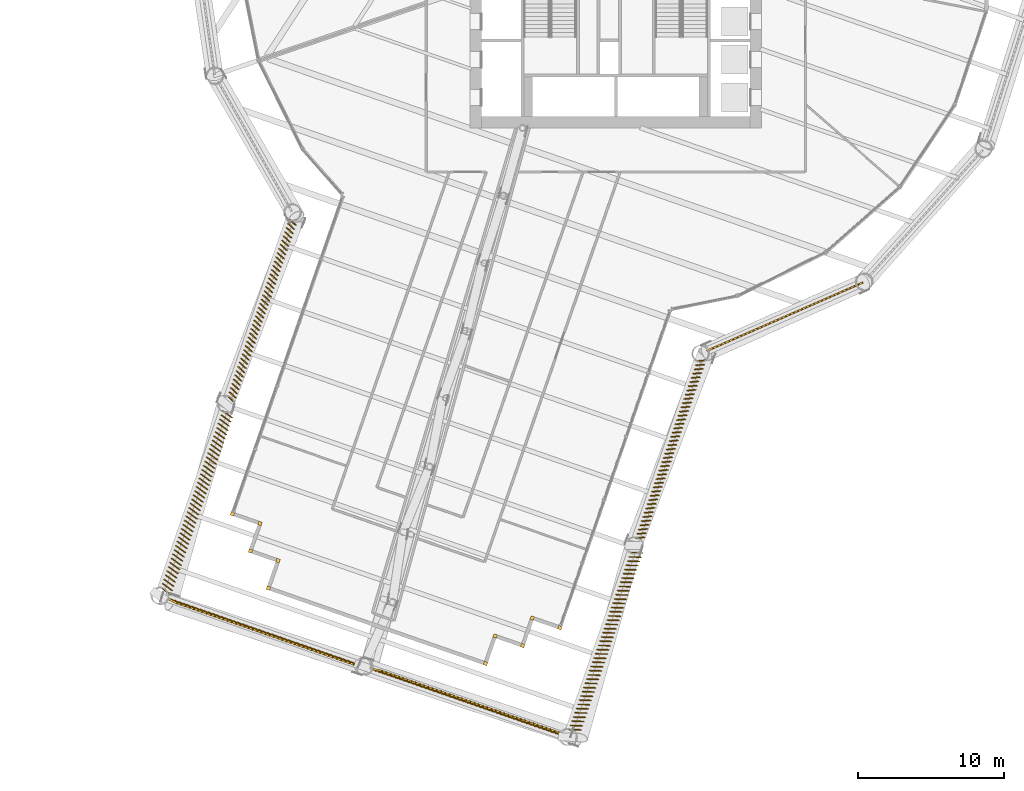
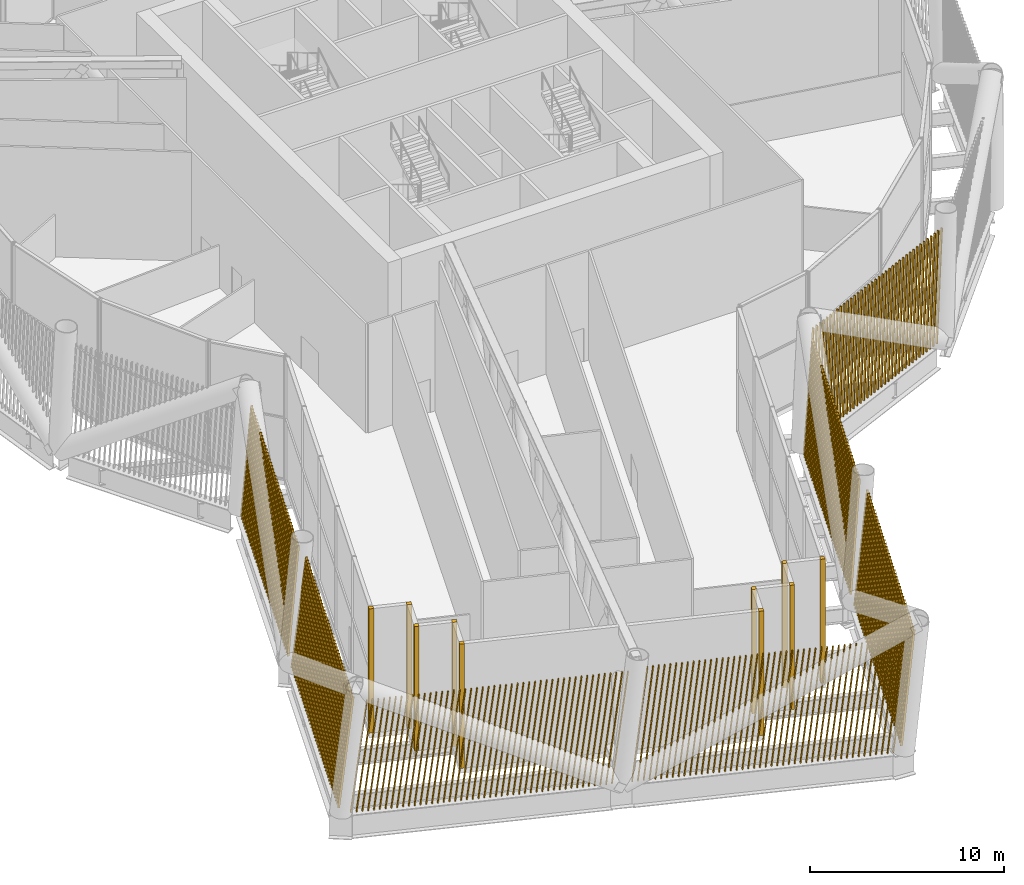
# One storey, part 55 of 63: 17 shading devices.
"""IFC4 building model written with IfcOpenShell, lengths in metres."""

from ifc_helpers import new_model, si_unit, direction, frame, frame_2d, origin, origin_2d, place, context, subcontext, project, spatial, rectangle, composite_profile, extrude, material, type_object, element, save


model = new_model("IFC4")

# Units and contexts
model_context = context("Model", 3, precision=1e-05, world=origin(), true_north=direction((0.0, 1.0)))
body_context = subcontext(model_context, "Body", "Model", "MODEL_VIEW")
ifc_project = project(units=[si_unit("LENGTHUNIT", "METRE"), si_unit("AREAUNIT", "SQUARE_METRE"), si_unit("VOLUMEUNIT", "CUBIC_METRE"), si_unit("PLANEANGLEUNIT", "RADIAN"), si_unit("MASSUNIT", "GRAM", prefix="KILO")], contexts=[model_context])

# Site, building, storey
site_placement = place(None, origin())
site = spatial("IfcSite", under=ifc_project, at=site_placement, CompositionType="ELEMENT")
building_placement = place(site_placement, origin())
building = spatial("IfcBuilding", under=site, at=building_placement, Name="Tarsis Ring Headquarters", CompositionType="ELEMENT")
storey_placement = place(building_placement, frame((0.0, 0.0, 139.60009765625)))
storey = spatial("IfcBuildingStorey", under=building, at=storey_placement, Name="L32", CompositionType="ELEMENT", Elevation=139.60009765625)

# Shading devices
ifc_material = material(Name="Terracotta baguette", Category="masonry")
shading_device_type_1 = type_object("IfcShadingDeviceType", Name="Terracotta baguette screen", PredefinedType="USERDEFINED", material=ifc_material)
shading_device_1_placement = place(storey_placement, frame((-22.347900390625, -19.225830078125, 0.0), z_axis=(0.0, 0.0, 1.0), x_axis=(-0.328211629799, -0.944613696142, 0.0)))
element("IfcShadingDevice", 1, at=shading_device_1_placement, inside=storey, type_object=shading_device_type_1, Name="Baguette screen L32-01", ObjectType="Terracotta baguette screen", PredefinedType="USERDEFINED", context=body_context, shape_type="SweptSolid", body=[
    extrude(composite_profile([rectangle(XDim=0.06005859375, YDim=0.1201171875, at=frame_2d((0.030029296875, 0.0))), rectangle(XDim=0.06005859375, YDim=0.1201171875, at=frame_2d((0.335693359375, 0.0))), rectangle(XDim=0.06005859375, YDim=0.1201171875, at=frame_2d((0.6416015625, 0.0))), rectangle(XDim=0.06005859375, YDim=0.1201171875, at=frame_2d((0.947265625, 0.0))), rectangle(XDim=0.06005859375, YDim=0.1201171875, at=frame_2d((1.253173828125, 0.0))), rectangle(XDim=0.06005859375, YDim=0.1201171875, at=frame_2d((1.558837890625, 0.0))), rectangle(XDim=0.06005859375, YDim=0.1201171875, at=frame_2d((1.864501953125, 0.0))), rectangle(XDim=0.06005859375, YDim=0.1201171875, at=frame_2d((2.17041015625, 0.0))), rectangle(XDim=0.06005859375, YDim=0.1201171875, at=frame_2d((2.47607421875, 0.0))), rectangle(XDim=0.06005859375, YDim=0.1201171875, at=frame_2d((2.781982421875, 0.0))), rectangle(XDim=0.06005859375, YDim=0.1201171875, at=frame_2d((3.087646484375, 0.0))), rectangle(XDim=0.06005859375, YDim=0.1201171875, at=frame_2d((3.393310546875, 0.0))), rectangle(XDim=0.06005859375, YDim=0.1201171875, at=frame_2d((3.69921875, 0.0))), rectangle(XDim=0.06005859375, YDim=0.1201171875, at=frame_2d((4.0048828125, 0.0))), rectangle(XDim=0.06005859375, YDim=0.1201171875, at=frame_2d((4.310791015625, 0.0))), rectangle(XDim=0.06005859375, YDim=0.1201171875, at=frame_2d((4.616455078125, 0.0))), rectangle(XDim=0.06005859375, YDim=0.1201171875, at=frame_2d((4.922119140625, 0.0))), rectangle(XDim=0.06005859375, YDim=0.1201171875, at=frame_2d((5.22802734375, 0.0))), rectangle(XDim=0.06005859375, YDim=0.1201171875, at=frame_2d((5.53369140625, 0.0))), rectangle(XDim=0.06005859375, YDim=0.1201171875, at=frame_2d((5.839599609375, 0.0))), rectangle(XDim=0.06005859375, YDim=0.1201171875, at=frame_2d((6.145263671875, 0.0))), rectangle(XDim=0.06005859375, YDim=0.1201171875, at=frame_2d((6.451171875, 0.0))), rectangle(XDim=0.06005859375, YDim=0.1201171875, at=frame_2d((6.7568359375, 0.0))), rectangle(XDim=0.06005859375, YDim=0.1201171875, at=frame_2d((7.0625, 0.0))), rectangle(XDim=0.06005859375, YDim=0.1201171875, at=frame_2d((7.368408203125, 0.0))), rectangle(XDim=0.06005859375, YDim=0.1201171875, at=frame_2d((7.674072265625, 0.0))), rectangle(XDim=0.06005859375, YDim=0.1201171875, at=frame_2d((7.97998046875, 0.0))), rectangle(XDim=0.06005859375, YDim=0.1201171875, at=frame_2d((8.28564453125, 0.0))), rectangle(XDim=0.06005859375, YDim=0.1201171875, at=frame_2d((8.59130859375, 0.0))), rectangle(XDim=0.06005859375, YDim=0.1201171875, at=frame_2d((8.897216796875, 0.0))), rectangle(XDim=0.06005859375, YDim=0.1201171875, at=frame_2d((9.202880859375, 0.0))), rectangle(XDim=0.06005859375, YDim=0.1201171875, at=frame_2d((9.5087890625, 0.0))), rectangle(XDim=0.06005859375, YDim=0.1201171875, at=frame_2d((9.814453125, 0.0))), rectangle(XDim=0.06005859375, YDim=0.1201171875, at=frame_2d((10.1201171875, 0.0))), rectangle(XDim=0.06005859375, YDim=0.1201171875, at=frame_2d((10.426025390625, 0.0))), rectangle(XDim=0.06005859375, YDim=0.1201171875, at=frame_2d((10.731689453125, 0.0))), rectangle(XDim=0.06005859375, YDim=0.1201171875, at=frame_2d((11.03759765625, 0.0))), rectangle(XDim=0.06005859375, YDim=0.1201171875, at=frame_2d((11.34326171875, 0.0))), rectangle(XDim=0.06005859375, YDim=0.1201171875, at=frame_2d((11.64892578125, 0.0))), rectangle(XDim=0.06005859375, YDim=0.1201171875, at=frame_2d((11.954833984375, 0.0))), rectangle(XDim=0.06005859375, YDim=0.1201171875, at=frame_2d((12.260498046875, 0.0))), rectangle(XDim=0.06005859375, YDim=0.1201171875, at=frame_2d((12.56640625, 0.0))), rectangle(XDim=0.06005859375, YDim=0.1201171875, at=frame_2d((12.8720703125, 0.0)))]), origin(), (0.032316925309, 0.071219581263, 0.996937002816), 7.071533203125),
])
shading_device_2_placement = place(storey_placement, frame((-26.910888671875, -32.35791015625, 0.0), z_axis=(0.0, 0.0, 1.0), x_axis=(-0.328211629799, -0.944613696142, 0.0)))
element("IfcShadingDevice", 2, at=shading_device_2_placement, inside=storey, type_object=shading_device_type_1, Name="Baguette screen L32-02", ObjectType="Terracotta baguette screen", PredefinedType="USERDEFINED", context=body_context, shape_type="SweptSolid", body=[
    extrude(composite_profile([rectangle(XDim=0.06005859375, YDim=0.1201171875, at=frame_2d((0.030029296875, 0.0))), rectangle(XDim=0.06005859375, YDim=0.1201171875, at=frame_2d((0.335693359375, 0.0))), rectangle(XDim=0.06005859375, YDim=0.1201171875, at=frame_2d((0.6416015625, 0.0))), rectangle(XDim=0.06005859375, YDim=0.1201171875, at=frame_2d((0.947265625, 0.0))), rectangle(XDim=0.06005859375, YDim=0.1201171875, at=frame_2d((1.253173828125, 0.0))), rectangle(XDim=0.06005859375, YDim=0.1201171875, at=frame_2d((1.558837890625, 0.0))), rectangle(XDim=0.06005859375, YDim=0.1201171875, at=frame_2d((1.864501953125, 0.0))), rectangle(XDim=0.06005859375, YDim=0.1201171875, at=frame_2d((2.17041015625, 0.0))), rectangle(XDim=0.06005859375, YDim=0.1201171875, at=frame_2d((2.47607421875, 0.0))), rectangle(XDim=0.06005859375, YDim=0.1201171875, at=frame_2d((2.781982421875, 0.0))), rectangle(XDim=0.06005859375, YDim=0.1201171875, at=frame_2d((3.087646484375, 0.0))), rectangle(XDim=0.06005859375, YDim=0.1201171875, at=frame_2d((3.393310546875, 0.0))), rectangle(XDim=0.06005859375, YDim=0.1201171875, at=frame_2d((3.69921875, 0.0))), rectangle(XDim=0.06005859375, YDim=0.1201171875, at=frame_2d((4.0048828125, 0.0))), rectangle(XDim=0.06005859375, YDim=0.1201171875, at=frame_2d((4.310791015625, 0.0))), rectangle(XDim=0.06005859375, YDim=0.1201171875, at=frame_2d((4.616455078125, 0.0))), rectangle(XDim=0.06005859375, YDim=0.1201171875, at=frame_2d((4.922119140625, 0.0))), rectangle(XDim=0.06005859375, YDim=0.1201171875, at=frame_2d((5.22802734375, 0.0))), rectangle(XDim=0.06005859375, YDim=0.1201171875, at=frame_2d((5.53369140625, 0.0))), rectangle(XDim=0.06005859375, YDim=0.1201171875, at=frame_2d((5.839599609375, 0.0))), rectangle(XDim=0.06005859375, YDim=0.1201171875, at=frame_2d((6.145263671875, 0.0))), rectangle(XDim=0.06005859375, YDim=0.1201171875, at=frame_2d((6.451171875, 0.0))), rectangle(XDim=0.06005859375, YDim=0.1201171875, at=frame_2d((6.7568359375, 0.0))), rectangle(XDim=0.06005859375, YDim=0.1201171875, at=frame_2d((7.0625, 0.0))), rectangle(XDim=0.06005859375, YDim=0.1201171875, at=frame_2d((7.368408203125, 0.0))), rectangle(XDim=0.06005859375, YDim=0.1201171875, at=frame_2d((7.674072265625, 0.0))), rectangle(XDim=0.06005859375, YDim=0.1201171875, at=frame_2d((7.97998046875, 0.0))), rectangle(XDim=0.06005859375, YDim=0.1201171875, at=frame_2d((8.28564453125, 0.0))), rectangle(XDim=0.06005859375, YDim=0.1201171875, at=frame_2d((8.59130859375, 0.0))), rectangle(XDim=0.06005859375, YDim=0.1201171875, at=frame_2d((8.897216796875, 0.0))), rectangle(XDim=0.06005859375, YDim=0.1201171875, at=frame_2d((9.202880859375, 0.0))), rectangle(XDim=0.06005859375, YDim=0.1201171875, at=frame_2d((9.5087890625, 0.0))), rectangle(XDim=0.06005859375, YDim=0.1201171875, at=frame_2d((9.814453125, 0.0))), rectangle(XDim=0.06005859375, YDim=0.1201171875, at=frame_2d((10.1201171875, 0.0))), rectangle(XDim=0.06005859375, YDim=0.1201171875, at=frame_2d((10.426025390625, 0.0))), rectangle(XDim=0.06005859375, YDim=0.1201171875, at=frame_2d((10.731689453125, 0.0))), rectangle(XDim=0.06005859375, YDim=0.1201171875, at=frame_2d((11.03759765625, 0.0))), rectangle(XDim=0.06005859375, YDim=0.1201171875, at=frame_2d((11.34326171875, 0.0))), rectangle(XDim=0.06005859375, YDim=0.1201171875, at=frame_2d((11.64892578125, 0.0))), rectangle(XDim=0.06005859375, YDim=0.1201171875, at=frame_2d((11.954833984375, 0.0))), rectangle(XDim=0.06005859375, YDim=0.1201171875, at=frame_2d((12.260498046875, 0.0))), rectangle(XDim=0.06005859375, YDim=0.1201171875, at=frame_2d((12.56640625, 0.0))), rectangle(XDim=0.06005859375, YDim=0.1201171875, at=frame_2d((12.8720703125, 0.0)))]), origin(), (0.031989139913, 0.101828607523, 0.994287498472), 7.09033203125),
])
shading_device_3_placement = place(storey_placement, frame((-30.837158203125, -45.181884765625, 0.0), z_axis=(0.0, 0.0, 1.0), x_axis=(0.944607600311, -0.328214563725, 0.0)))
element("IfcShadingDevice", 3, at=shading_device_3_placement, inside=storey, type_object=shading_device_type_1, Name="Baguette screen L32-03", ObjectType="Terracotta baguette screen", PredefinedType="USERDEFINED", context=body_context, shape_type="SweptSolid", body=[
    extrude(composite_profile([rectangle(XDim=0.06005859375, YDim=0.1201171875, at=frame_2d((0.030029296875, 0.0))), rectangle(XDim=0.06005859375, YDim=0.1201171875, at=frame_2d((0.33544921875, 0.0))), rectangle(XDim=0.06005859375, YDim=0.1201171875, at=frame_2d((0.640625, 0.0))), rectangle(XDim=0.06005859375, YDim=0.1201171875, at=frame_2d((0.946044921875, 0.0))), rectangle(XDim=0.06005859375, YDim=0.1201171875, at=frame_2d((1.25146484375, 0.0))), rectangle(XDim=0.06005859375, YDim=0.1201171875, at=frame_2d((1.556640625, 0.0))), rectangle(XDim=0.06005859375, YDim=0.1201171875, at=frame_2d((1.862060546875, 0.0))), rectangle(XDim=0.06005859375, YDim=0.1201171875, at=frame_2d((2.16748046875, 0.0))), rectangle(XDim=0.06005859375, YDim=0.1201171875, at=frame_2d((2.47265625, 0.0))), rectangle(XDim=0.06005859375, YDim=0.1201171875, at=frame_2d((2.778076171875, 0.0))), rectangle(XDim=0.06005859375, YDim=0.1201171875, at=frame_2d((3.08349609375, 0.0))), rectangle(XDim=0.06005859375, YDim=0.1201171875, at=frame_2d((3.388671875, 0.0))), rectangle(XDim=0.06005859375, YDim=0.1201171875, at=frame_2d((3.694091796875, 0.0))), rectangle(XDim=0.06005859375, YDim=0.1201171875, at=frame_2d((3.99951171875, 0.0))), rectangle(XDim=0.06005859375, YDim=0.1201171875, at=frame_2d((4.3046875, 0.0))), rectangle(XDim=0.06005859375, YDim=0.1201171875, at=frame_2d((4.610107421875, 0.0))), rectangle(XDim=0.06005859375, YDim=0.1201171875, at=frame_2d((4.91552734375, 0.0))), rectangle(XDim=0.06005859375, YDim=0.1201171875, at=frame_2d((5.220703125, 0.0))), rectangle(XDim=0.06005859375, YDim=0.1201171875, at=frame_2d((5.526123046875, 0.0))), rectangle(XDim=0.06005859375, YDim=0.1201171875, at=frame_2d((5.83154296875, 0.0))), rectangle(XDim=0.06005859375, YDim=0.1201171875, at=frame_2d((6.13671875, 0.0))), rectangle(XDim=0.06005859375, YDim=0.1201171875, at=frame_2d((6.442138671875, 0.0))), rectangle(XDim=0.06005859375, YDim=0.1201171875, at=frame_2d((6.74755859375, 0.0))), rectangle(XDim=0.06005859375, YDim=0.1201171875, at=frame_2d((7.052734375, 0.0))), rectangle(XDim=0.06005859375, YDim=0.1201171875, at=frame_2d((7.358154296875, 0.0))), rectangle(XDim=0.06005859375, YDim=0.1201171875, at=frame_2d((7.66357421875, 0.0))), rectangle(XDim=0.06005859375, YDim=0.1201171875, at=frame_2d((7.96875, 0.0))), rectangle(XDim=0.06005859375, YDim=0.1201171875, at=frame_2d((8.274169921875, 0.0))), rectangle(XDim=0.06005859375, YDim=0.1201171875, at=frame_2d((8.57958984375, 0.0))), rectangle(XDim=0.06005859375, YDim=0.1201171875, at=frame_2d((8.884765625, 0.0))), rectangle(XDim=0.06005859375, YDim=0.1201171875, at=frame_2d((9.190185546875, 0.0))), rectangle(XDim=0.06005859375, YDim=0.1201171875, at=frame_2d((9.49560546875, 0.0))), rectangle(XDim=0.06005859375, YDim=0.1201171875, at=frame_2d((9.80078125, 0.0))), rectangle(XDim=0.06005859375, YDim=0.1201171875, at=frame_2d((10.106201171875, 0.0))), rectangle(XDim=0.06005859375, YDim=0.1201171875, at=frame_2d((10.41162109375, 0.0))), rectangle(XDim=0.06005859375, YDim=0.1201171875, at=frame_2d((10.716796875, 0.0))), rectangle(XDim=0.06005859375, YDim=0.1201171875, at=frame_2d((11.022216796875, 0.0))), rectangle(XDim=0.06005859375, YDim=0.1201171875, at=frame_2d((11.32763671875, 0.0))), rectangle(XDim=0.06005859375, YDim=0.1201171875, at=frame_2d((11.6328125, 0.0))), rectangle(XDim=0.06005859375, YDim=0.1201171875, at=frame_2d((11.938232421875, 0.0))), rectangle(XDim=0.06005859375, YDim=0.1201171875, at=frame_2d((12.24365234375, 0.0))), rectangle(XDim=0.06005859375, YDim=0.1201171875, at=frame_2d((12.548828125, 0.0))), rectangle(XDim=0.06005859375, YDim=0.1201171875, at=frame_2d((12.854248046875, 0.0))), rectangle(XDim=0.06005859375, YDim=0.1201171875, at=frame_2d((13.15966796875, 0.0))), rectangle(XDim=0.06005859375, YDim=0.1201171875, at=frame_2d((13.46484375, 0.0))), rectangle(XDim=0.06005859375, YDim=0.1201171875, at=frame_2d((13.770263671875, 0.0)))]), origin(), (0.116948872926, -0.015454298706, 0.993017686536), 7.099365234375),
])
shading_device_4_placement = place(storey_placement, frame((-16.85693359375, -50.039306640625, 0.0), z_axis=(0.0, 0.0, 1.0), x_axis=(0.944607600311, -0.328214563725, 0.0)))
element("IfcShadingDevice", 4, at=shading_device_4_placement, inside=storey, type_object=shading_device_type_1, Name="Baguette screen L32-04", ObjectType="Terracotta baguette screen", PredefinedType="USERDEFINED", context=body_context, shape_type="SweptSolid", body=[
    extrude(composite_profile([rectangle(XDim=0.06005859375, YDim=0.1201171875, at=frame_2d((0.030029296875, 0.0))), rectangle(XDim=0.06005859375, YDim=0.1201171875, at=frame_2d((0.33544921875, 0.0))), rectangle(XDim=0.06005859375, YDim=0.1201171875, at=frame_2d((0.640625, 0.0))), rectangle(XDim=0.06005859375, YDim=0.1201171875, at=frame_2d((0.946044921875, 0.0))), rectangle(XDim=0.06005859375, YDim=0.1201171875, at=frame_2d((1.25146484375, 0.0))), rectangle(XDim=0.06005859375, YDim=0.1201171875, at=frame_2d((1.556640625, 0.0))), rectangle(XDim=0.06005859375, YDim=0.1201171875, at=frame_2d((1.862060546875, 0.0))), rectangle(XDim=0.06005859375, YDim=0.1201171875, at=frame_2d((2.16748046875, 0.0))), rectangle(XDim=0.06005859375, YDim=0.1201171875, at=frame_2d((2.47265625, 0.0))), rectangle(XDim=0.06005859375, YDim=0.1201171875, at=frame_2d((2.778076171875, 0.0))), rectangle(XDim=0.06005859375, YDim=0.1201171875, at=frame_2d((3.08349609375, 0.0))), rectangle(XDim=0.06005859375, YDim=0.1201171875, at=frame_2d((3.388671875, 0.0))), rectangle(XDim=0.06005859375, YDim=0.1201171875, at=frame_2d((3.694091796875, 0.0))), rectangle(XDim=0.06005859375, YDim=0.1201171875, at=frame_2d((3.99951171875, 0.0))), rectangle(XDim=0.06005859375, YDim=0.1201171875, at=frame_2d((4.3046875, 0.0))), rectangle(XDim=0.06005859375, YDim=0.1201171875, at=frame_2d((4.610107421875, 0.0))), rectangle(XDim=0.06005859375, YDim=0.1201171875, at=frame_2d((4.91552734375, 0.0))), rectangle(XDim=0.06005859375, YDim=0.1201171875, at=frame_2d((5.220703125, 0.0))), rectangle(XDim=0.06005859375, YDim=0.1201171875, at=frame_2d((5.526123046875, 0.0))), rectangle(XDim=0.06005859375, YDim=0.1201171875, at=frame_2d((5.83154296875, 0.0))), rectangle(XDim=0.06005859375, YDim=0.1201171875, at=frame_2d((6.13671875, 0.0))), rectangle(XDim=0.06005859375, YDim=0.1201171875, at=frame_2d((6.442138671875, 0.0))), rectangle(XDim=0.06005859375, YDim=0.1201171875, at=frame_2d((6.74755859375, 0.0))), rectangle(XDim=0.06005859375, YDim=0.1201171875, at=frame_2d((7.052734375, 0.0))), rectangle(XDim=0.06005859375, YDim=0.1201171875, at=frame_2d((7.358154296875, 0.0))), rectangle(XDim=0.06005859375, YDim=0.1201171875, at=frame_2d((7.66357421875, 0.0))), rectangle(XDim=0.06005859375, YDim=0.1201171875, at=frame_2d((7.96875, 0.0))), rectangle(XDim=0.06005859375, YDim=0.1201171875, at=frame_2d((8.274169921875, 0.0))), rectangle(XDim=0.06005859375, YDim=0.1201171875, at=frame_2d((8.57958984375, 0.0))), rectangle(XDim=0.06005859375, YDim=0.1201171875, at=frame_2d((8.884765625, 0.0))), rectangle(XDim=0.06005859375, YDim=0.1201171875, at=frame_2d((9.190185546875, 0.0))), rectangle(XDim=0.06005859375, YDim=0.1201171875, at=frame_2d((9.49560546875, 0.0))), rectangle(XDim=0.06005859375, YDim=0.1201171875, at=frame_2d((9.80078125, 0.0))), rectangle(XDim=0.06005859375, YDim=0.1201171875, at=frame_2d((10.106201171875, 0.0))), rectangle(XDim=0.06005859375, YDim=0.1201171875, at=frame_2d((10.41162109375, 0.0))), rectangle(XDim=0.06005859375, YDim=0.1201171875, at=frame_2d((10.716796875, 0.0))), rectangle(XDim=0.06005859375, YDim=0.1201171875, at=frame_2d((11.022216796875, 0.0))), rectangle(XDim=0.06005859375, YDim=0.1201171875, at=frame_2d((11.32763671875, 0.0))), rectangle(XDim=0.06005859375, YDim=0.1201171875, at=frame_2d((11.6328125, 0.0))), rectangle(XDim=0.06005859375, YDim=0.1201171875, at=frame_2d((11.938232421875, 0.0))), rectangle(XDim=0.06005859375, YDim=0.1201171875, at=frame_2d((12.24365234375, 0.0))), rectangle(XDim=0.06005859375, YDim=0.1201171875, at=frame_2d((12.548828125, 0.0))), rectangle(XDim=0.06005859375, YDim=0.1201171875, at=frame_2d((12.854248046875, 0.0))), rectangle(XDim=0.06005859375, YDim=0.1201171875, at=frame_2d((13.15966796875, 0.0))), rectangle(XDim=0.06005859375, YDim=0.1201171875, at=frame_2d((13.46484375, 0.0))), rectangle(XDim=0.06005859375, YDim=0.1201171875, at=frame_2d((13.770263671875, 0.0)))]), origin(), (0.116691301358, 0.017290797799, 0.993017708049), 7.099365234375),
])
shading_device_5_placement = place(storey_placement, frame((-3.18505859375, -54.26025390625, 0.0), z_axis=(0.0, 0.0, 1.0), x_axis=(0.328211629799, 0.944613696142, 0.0)))
element("IfcShadingDevice", 5, at=shading_device_5_placement, inside=storey, type_object=shading_device_type_1, Name="Baguette screen L32-05", ObjectType="Terracotta baguette screen", PredefinedType="USERDEFINED", context=body_context, shape_type="SweptSolid", body=[
    extrude(composite_profile([rectangle(XDim=0.06005859375, YDim=0.1201171875, at=frame_2d((0.030029296875, 0.0))), rectangle(XDim=0.06005859375, YDim=0.1201171875, at=frame_2d((0.335693359375, 0.0))), rectangle(XDim=0.06005859375, YDim=0.1201171875, at=frame_2d((0.6416015625, 0.0))), rectangle(XDim=0.06005859375, YDim=0.1201171875, at=frame_2d((0.947265625, 0.0))), rectangle(XDim=0.06005859375, YDim=0.1201171875, at=frame_2d((1.253173828125, 0.0))), rectangle(XDim=0.06005859375, YDim=0.1201171875, at=frame_2d((1.558837890625, 0.0))), rectangle(XDim=0.06005859375, YDim=0.1201171875, at=frame_2d((1.864501953125, 0.0))), rectangle(XDim=0.06005859375, YDim=0.1201171875, at=frame_2d((2.17041015625, 0.0))), rectangle(XDim=0.06005859375, YDim=0.1201171875, at=frame_2d((2.47607421875, 0.0))), rectangle(XDim=0.06005859375, YDim=0.1201171875, at=frame_2d((2.781982421875, 0.0))), rectangle(XDim=0.06005859375, YDim=0.1201171875, at=frame_2d((3.087646484375, 0.0))), rectangle(XDim=0.06005859375, YDim=0.1201171875, at=frame_2d((3.393310546875, 0.0))), rectangle(XDim=0.06005859375, YDim=0.1201171875, at=frame_2d((3.69921875, 0.0))), rectangle(XDim=0.06005859375, YDim=0.1201171875, at=frame_2d((4.0048828125, 0.0))), rectangle(XDim=0.06005859375, YDim=0.1201171875, at=frame_2d((4.310791015625, 0.0))), rectangle(XDim=0.06005859375, YDim=0.1201171875, at=frame_2d((4.616455078125, 0.0))), rectangle(XDim=0.06005859375, YDim=0.1201171875, at=frame_2d((4.922119140625, 0.0))), rectangle(XDim=0.06005859375, YDim=0.1201171875, at=frame_2d((5.22802734375, 0.0))), rectangle(XDim=0.06005859375, YDim=0.1201171875, at=frame_2d((5.53369140625, 0.0))), rectangle(XDim=0.06005859375, YDim=0.1201171875, at=frame_2d((5.839599609375, 0.0))), rectangle(XDim=0.06005859375, YDim=0.1201171875, at=frame_2d((6.145263671875, 0.0))), rectangle(XDim=0.06005859375, YDim=0.1201171875, at=frame_2d((6.451171875, 0.0))), rectangle(XDim=0.06005859375, YDim=0.1201171875, at=frame_2d((6.7568359375, 0.0))), rectangle(XDim=0.06005859375, YDim=0.1201171875, at=frame_2d((7.0625, 0.0))), rectangle(XDim=0.06005859375, YDim=0.1201171875, at=frame_2d((7.368408203125, 0.0))), rectangle(XDim=0.06005859375, YDim=0.1201171875, at=frame_2d((7.674072265625, 0.0))), rectangle(XDim=0.06005859375, YDim=0.1201171875, at=frame_2d((7.97998046875, 0.0))), rectangle(XDim=0.06005859375, YDim=0.1201171875, at=frame_2d((8.28564453125, 0.0))), rectangle(XDim=0.06005859375, YDim=0.1201171875, at=frame_2d((8.59130859375, 0.0))), rectangle(XDim=0.06005859375, YDim=0.1201171875, at=frame_2d((8.897216796875, 0.0))), rectangle(XDim=0.06005859375, YDim=0.1201171875, at=frame_2d((9.202880859375, 0.0))), rectangle(XDim=0.06005859375, YDim=0.1201171875, at=frame_2d((9.5087890625, 0.0))), rectangle(XDim=0.06005859375, YDim=0.1201171875, at=frame_2d((9.814453125, 0.0))), rectangle(XDim=0.06005859375, YDim=0.1201171875, at=frame_2d((10.1201171875, 0.0))), rectangle(XDim=0.06005859375, YDim=0.1201171875, at=frame_2d((10.426025390625, 0.0))), rectangle(XDim=0.06005859375, YDim=0.1201171875, at=frame_2d((10.731689453125, 0.0))), rectangle(XDim=0.06005859375, YDim=0.1201171875, at=frame_2d((11.03759765625, 0.0))), rectangle(XDim=0.06005859375, YDim=0.1201171875, at=frame_2d((11.34326171875, 0.0))), rectangle(XDim=0.06005859375, YDim=0.1201171875, at=frame_2d((11.64892578125, 0.0))), rectangle(XDim=0.06005859375, YDim=0.1201171875, at=frame_2d((11.954833984375, 0.0))), rectangle(XDim=0.06005859375, YDim=0.1201171875, at=frame_2d((12.260498046875, 0.0))), rectangle(XDim=0.06005859375, YDim=0.1201171875, at=frame_2d((12.56640625, 0.0))), rectangle(XDim=0.06005859375, YDim=0.1201171875, at=frame_2d((12.8720703125, 0.0)))]), origin(), (0.033585073619, -0.101313423957, 0.994287500151), 7.09033203125),
])
shading_device_6_placement = place(storey_placement, frame((1.377685546875, -41.128173828125, 0.0), z_axis=(0.0, 0.0, 1.0), x_axis=(0.328211629799, 0.944613696142, 0.0)))
element("IfcShadingDevice", 6, at=shading_device_6_placement, inside=storey, type_object=shading_device_type_1, Name="Baguette screen L32-06", ObjectType="Terracotta baguette screen", PredefinedType="USERDEFINED", context=body_context, shape_type="SweptSolid", body=[
    extrude(composite_profile([rectangle(XDim=0.06005859375, YDim=0.1201171875, at=frame_2d((0.030029296875, 0.0))), rectangle(XDim=0.06005859375, YDim=0.1201171875, at=frame_2d((0.335693359375, 0.0))), rectangle(XDim=0.06005859375, YDim=0.1201171875, at=frame_2d((0.6416015625, 0.0))), rectangle(XDim=0.06005859375, YDim=0.1201171875, at=frame_2d((0.947265625, 0.0))), rectangle(XDim=0.06005859375, YDim=0.1201171875, at=frame_2d((1.253173828125, 0.0))), rectangle(XDim=0.06005859375, YDim=0.1201171875, at=frame_2d((1.558837890625, 0.0))), rectangle(XDim=0.06005859375, YDim=0.1201171875, at=frame_2d((1.864501953125, 0.0))), rectangle(XDim=0.06005859375, YDim=0.1201171875, at=frame_2d((2.17041015625, 0.0))), rectangle(XDim=0.06005859375, YDim=0.1201171875, at=frame_2d((2.47607421875, 0.0))), rectangle(XDim=0.06005859375, YDim=0.1201171875, at=frame_2d((2.781982421875, 0.0))), rectangle(XDim=0.06005859375, YDim=0.1201171875, at=frame_2d((3.087646484375, 0.0))), rectangle(XDim=0.06005859375, YDim=0.1201171875, at=frame_2d((3.393310546875, 0.0))), rectangle(XDim=0.06005859375, YDim=0.1201171875, at=frame_2d((3.69921875, 0.0))), rectangle(XDim=0.06005859375, YDim=0.1201171875, at=frame_2d((4.0048828125, 0.0))), rectangle(XDim=0.06005859375, YDim=0.1201171875, at=frame_2d((4.310791015625, 0.0))), rectangle(XDim=0.06005859375, YDim=0.1201171875, at=frame_2d((4.616455078125, 0.0))), rectangle(XDim=0.06005859375, YDim=0.1201171875, at=frame_2d((4.922119140625, 0.0))), rectangle(XDim=0.06005859375, YDim=0.1201171875, at=frame_2d((5.22802734375, 0.0))), rectangle(XDim=0.06005859375, YDim=0.1201171875, at=frame_2d((5.53369140625, 0.0))), rectangle(XDim=0.06005859375, YDim=0.1201171875, at=frame_2d((5.839599609375, 0.0))), rectangle(XDim=0.06005859375, YDim=0.1201171875, at=frame_2d((6.145263671875, 0.0))), rectangle(XDim=0.06005859375, YDim=0.1201171875, at=frame_2d((6.451171875, 0.0))), rectangle(XDim=0.06005859375, YDim=0.1201171875, at=frame_2d((6.7568359375, 0.0))), rectangle(XDim=0.06005859375, YDim=0.1201171875, at=frame_2d((7.0625, 0.0))), rectangle(XDim=0.06005859375, YDim=0.1201171875, at=frame_2d((7.368408203125, 0.0))), rectangle(XDim=0.06005859375, YDim=0.1201171875, at=frame_2d((7.674072265625, 0.0))), rectangle(XDim=0.06005859375, YDim=0.1201171875, at=frame_2d((7.97998046875, 0.0))), rectangle(XDim=0.06005859375, YDim=0.1201171875, at=frame_2d((8.28564453125, 0.0))), rectangle(XDim=0.06005859375, YDim=0.1201171875, at=frame_2d((8.59130859375, 0.0))), rectangle(XDim=0.06005859375, YDim=0.1201171875, at=frame_2d((8.897216796875, 0.0))), rectangle(XDim=0.06005859375, YDim=0.1201171875, at=frame_2d((9.202880859375, 0.0))), rectangle(XDim=0.06005859375, YDim=0.1201171875, at=frame_2d((9.5087890625, 0.0))), rectangle(XDim=0.06005859375, YDim=0.1201171875, at=frame_2d((9.814453125, 0.0))), rectangle(XDim=0.06005859375, YDim=0.1201171875, at=frame_2d((10.1201171875, 0.0))), rectangle(XDim=0.06005859375, YDim=0.1201171875, at=frame_2d((10.426025390625, 0.0))), rectangle(XDim=0.06005859375, YDim=0.1201171875, at=frame_2d((10.731689453125, 0.0))), rectangle(XDim=0.06005859375, YDim=0.1201171875, at=frame_2d((11.03759765625, 0.0))), rectangle(XDim=0.06005859375, YDim=0.1201171875, at=frame_2d((11.34326171875, 0.0))), rectangle(XDim=0.06005859375, YDim=0.1201171875, at=frame_2d((11.64892578125, 0.0))), rectangle(XDim=0.06005859375, YDim=0.1201171875, at=frame_2d((11.954833984375, 0.0))), rectangle(XDim=0.06005859375, YDim=0.1201171875, at=frame_2d((12.260498046875, 0.0))), rectangle(XDim=0.06005859375, YDim=0.1201171875, at=frame_2d((12.56640625, 0.0))), rectangle(XDim=0.06005859375, YDim=0.1201171875, at=frame_2d((12.8720703125, 0.0)))]), origin(), (0.033431891882, -0.070703071001, 0.996937001197), 7.071533203125),
])
shading_device_7_placement = place(storey_placement, frame((6.234375, -28.267822265625, 0.0), z_axis=(0.0, 0.0, 1.0), x_axis=(0.916073443875, 0.400989669242, 0.0)))
element("IfcShadingDevice", 7, at=shading_device_7_placement, inside=storey, type_object=shading_device_type_1, Name="Baguette screen L32-07", ObjectType="Terracotta baguette screen", PredefinedType="USERDEFINED", context=body_context, shape_type="SweptSolid", body=[
    extrude(composite_profile([rectangle(XDim=0.06005859375, YDim=0.1201171875, at=frame_2d((0.030029296875, 0.0))), rectangle(XDim=0.06005859375, YDim=0.1201171875, at=frame_2d((0.33251953125, 0.0))), rectangle(XDim=0.06005859375, YDim=0.1201171875, at=frame_2d((0.634765625, 0.0))), rectangle(XDim=0.06005859375, YDim=0.1201171875, at=frame_2d((0.937255859375, 0.0))), rectangle(XDim=0.06005859375, YDim=0.1201171875, at=frame_2d((1.239501953125, 0.0))), rectangle(XDim=0.06005859375, YDim=0.1201171875, at=frame_2d((1.5419921875, 0.0))), rectangle(XDim=0.06005859375, YDim=0.1201171875, at=frame_2d((1.844482421875, 0.0))), rectangle(XDim=0.06005859375, YDim=0.1201171875, at=frame_2d((2.146728515625, 0.0))), rectangle(XDim=0.06005859375, YDim=0.1201171875, at=frame_2d((2.44921875, 0.0))), rectangle(XDim=0.06005859375, YDim=0.1201171875, at=frame_2d((2.751708984375, 0.0))), rectangle(XDim=0.06005859375, YDim=0.1201171875, at=frame_2d((3.053955078125, 0.0))), rectangle(XDim=0.06005859375, YDim=0.1201171875, at=frame_2d((3.3564453125, 0.0))), rectangle(XDim=0.06005859375, YDim=0.1201171875, at=frame_2d((3.65869140625, 0.0))), rectangle(XDim=0.06005859375, YDim=0.1201171875, at=frame_2d((3.961181640625, 0.0))), rectangle(XDim=0.06005859375, YDim=0.1201171875, at=frame_2d((4.263671875, 0.0))), rectangle(XDim=0.06005859375, YDim=0.1201171875, at=frame_2d((4.56591796875, 0.0))), rectangle(XDim=0.06005859375, YDim=0.1201171875, at=frame_2d((4.868408203125, 0.0))), rectangle(XDim=0.06005859375, YDim=0.1201171875, at=frame_2d((5.1708984375, 0.0))), rectangle(XDim=0.06005859375, YDim=0.1201171875, at=frame_2d((5.47314453125, 0.0))), rectangle(XDim=0.06005859375, YDim=0.1201171875, at=frame_2d((5.775634765625, 0.0))), rectangle(XDim=0.06005859375, YDim=0.1201171875, at=frame_2d((6.077880859375, 0.0))), rectangle(XDim=0.06005859375, YDim=0.1201171875, at=frame_2d((6.38037109375, 0.0))), rectangle(XDim=0.06005859375, YDim=0.1201171875, at=frame_2d((6.682861328125, 0.0))), rectangle(XDim=0.06005859375, YDim=0.1201171875, at=frame_2d((6.985107421875, 0.0))), rectangle(XDim=0.06005859375, YDim=0.1201171875, at=frame_2d((7.28759765625, 0.0))), rectangle(XDim=0.06005859375, YDim=0.1201171875, at=frame_2d((7.590087890625, 0.0))), rectangle(XDim=0.06005859375, YDim=0.1201171875, at=frame_2d((7.892333984375, 0.0))), rectangle(XDim=0.06005859375, YDim=0.1201171875, at=frame_2d((8.19482421875, 0.0))), rectangle(XDim=0.06005859375, YDim=0.1201171875, at=frame_2d((8.4970703125, 0.0))), rectangle(XDim=0.06005859375, YDim=0.1201171875, at=frame_2d((8.799560546875, 0.0))), rectangle(XDim=0.06005859375, YDim=0.1201171875, at=frame_2d((9.10205078125, 0.0))), rectangle(XDim=0.06005859375, YDim=0.1201171875, at=frame_2d((9.404296875, 0.0))), rectangle(XDim=0.06005859375, YDim=0.1201171875, at=frame_2d((9.706787109375, 0.0))), rectangle(XDim=0.06005859375, YDim=0.1201171875, at=frame_2d((10.00927734375, 0.0))), rectangle(XDim=0.06005859375, YDim=0.1201171875, at=frame_2d((10.3115234375, 0.0))), rectangle(XDim=0.06005859375, YDim=0.1201171875, at=frame_2d((10.614013671875, 0.0))), rectangle(XDim=0.06005859375, YDim=0.1201171875, at=frame_2d((10.916259765625, 0.0))), rectangle(XDim=0.06005859375, YDim=0.1201171875, at=frame_2d((11.21875, 0.0)))]), origin(), (0.063140003059, 0.000497086459, 0.99800455556), 7.06396484375),
])
shading_device_type_2 = type_object("IfcShadingDeviceType", Name="Terracotta corner baguette 250x250", PredefinedType="USERDEFINED", material=ifc_material)
for number, where, z_axis, x_axis, name in (
    (8, (-26.273681640625, -39.436279296875, 0.0), (0.0, 0.0, 1.0), (-0.328207234595, -0.944605743768, 0.0), "Corner baguette L32-07"),
    (9, (-24.384521484375, -40.0927734375, 0.0), (0.0, 0.0, 1.0), (0.944605846877, -0.328206937838, 0.0), "Corner baguette L32-08"),
    (10, (-25.041015625, -41.98193359375, 0.0), (0.0, 0.0, 1.0), (-0.328207547838, -0.94460563493, 0.0), "Corner baguette L32-09"),
    (11, (-23.151611328125, -42.638427734375, 0.0), (0.0, 0.0, 1.0), (0.94460563493, -0.328207547838, 0.0), "Corner baguette L32-10"),
    (12, (-23.80810546875, -44.527587890625, 0.0), (0.0, 0.0, 1.0), (-0.328206937838, -0.944605846877, 0.0), "Corner baguette L32-11"),
    (13, (-8.9306640625, -49.69677734375, 0.0), (0.0, 0.0, 1.0), (0.944605749496, -0.328207218108, 0.0), "Corner baguette L32-12"),
    (14, (-8.274169921875, -47.8076171875, 0.0), (0.0, 0.0, 1.0), (0.328207547838, 0.94460563493, 0.0), "Corner baguette L32-13"),
    (15, (-6.385009765625, -48.464111328125, 0.0), (0.0, 0.0, 1.0), (0.944605686485, -0.32820739946, 0.0), "Corner baguette L32-14"),
    (16, (-5.728515625, -46.574951171875, 0.0), (0.0, 0.0, 1.0), (0.328206937838, 0.944605846877, 0.0), "Corner baguette L32-15"),
    (17, (-3.83935546875, -47.231201171875, 0.0), (0.0, 0.0, 1.0), (0.94460563493, -0.328207547838, 0.0), "Corner baguette L32-16"),
):
    element("IfcShadingDevice", number, at=place(storey_placement, frame(where, z_axis=z_axis, x_axis=x_axis)), inside=storey, type_object=shading_device_type_2, Name=name, ObjectType="Terracotta corner baguette", PredefinedType="USERDEFINED", context=body_context, shape_type="SweptSolid", body=[
        extrude(rectangle(XDim=0.25, YDim=0.25, at=origin_2d()), origin(), (0.0, 0.0, 1.0), 7.840087890625),
    ])

save(model, "model.ifc")
